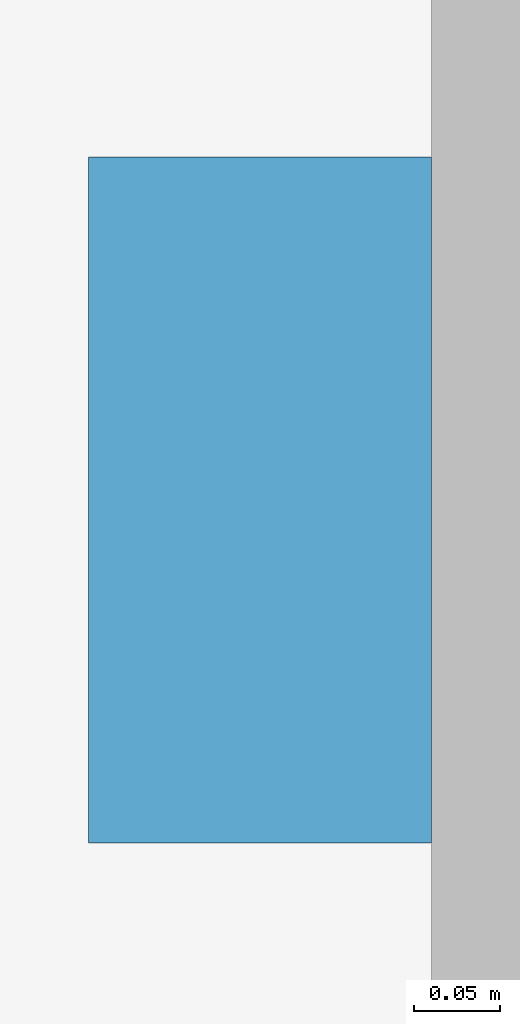
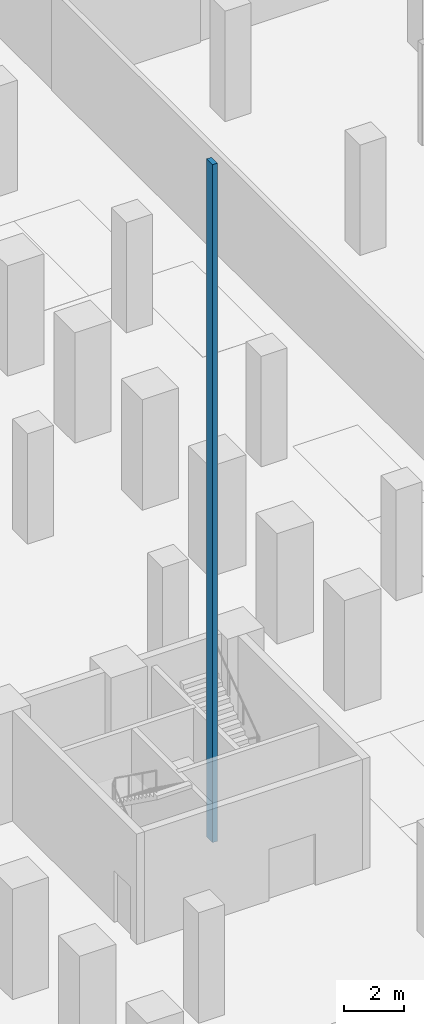
# One storey, part 27 of 37: 1 discrete accessory.
"""IFC4 building model written with IfcOpenShell, lengths in metres."""

import ifcopenshell
import ifcopenshell.guid

model = None  # the IFC model being written
_history = None  # IfcOwnerHistory: only IFC2X3 demands one
_inside = {}  # id of a spatial element -> (the spatial element, [elements in it])
_under = {}  # id of a project, library or spatial element -> (it, [spatial elements below it])
_declared = {}  # id of a project -> (the project, [libraries it declares])
_typed = {}  # id of a type object -> (the type object, [elements of that type])
_made_of = {}  # id of a material, layer set ... -> (it, [elements and type objects made of it])


def new_model(schema):
    """Start an empty IFC model of exactly this schema.

    Asked for "IFC4X3", IfcOpenShell would pick the latest addendum, in which some entities
    have other attributes; the version numbers below select the first issue.
    IFC2X3 requires an IfcOwnerHistory on every rooted entity: one is made here for all.
    """
    global model, _history
    if schema == "IFC4X3":
        model = ifcopenshell.file(schema_version=(4, 3, 0, 0))
    else:
        model = ifcopenshell.file(schema=schema)
    _inside.clear()
    _under.clear()
    _declared.clear()
    _typed.clear()
    _made_of.clear()
    _history = None
    if model.schema == "IFC2X3":
        org = make("IfcOrganization", Name="unknown")
        user = make(
            "IfcPersonAndOrganization",
            ThePerson=make("IfcPerson", FamilyName="unknown"),
            TheOrganization=org,
        )
        app = make(
            "IfcApplication",
            ApplicationDeveloper=org,
            Version="unknown",
            ApplicationFullName="unknown",
            ApplicationIdentifier="unknown",
        )
        _history = make(
            "IfcOwnerHistory",
            OwningUser=user,
            OwningApplication=app,
            ChangeAction="ADDED",
            CreationDate=0,
        )
    return model


def make(cls, **values):
    """One entity of the class cls with the attributes given. An attribute that is None is left unset."""
    return model.create_entity(
        cls, **{name: value for name, value in values.items() if value is not None}
    )


def rooted(cls, **values):
    """An entity with a GlobalId (a new one), such as an element, a storey or a relation."""
    return make(cls, GlobalId=ifcopenshell.guid.new(), OwnerHistory=_history, **values)


def si_unit(unit_type, name, prefix=None):
    """IfcSIUnit, for example si_unit("LENGTHUNIT", "METRE", prefix="MILLI")."""
    return make("IfcSIUnit", UnitType=unit_type, Prefix=prefix, Name=name)


def assignment(units):
    """IfcUnitAssignment: the units of a project."""
    return None if units is None else make("IfcUnitAssignment", Units=units)


def point(xyz):
    """IfcCartesianPoint."""
    return None if xyz is None else make("IfcCartesianPoint", Coordinates=xyz)


def direction(xyz):
    """IfcDirection."""
    return None if xyz is None else make("IfcDirection", DirectionRatios=xyz)


def frame(location, z_axis=None, x_axis=None):
    """IfcAxis2Placement3D, a coordinate frame: its origin and axes. An axis left out is left unset."""
    return make(
        "IfcAxis2Placement3D",
        Location=point(location),
        Axis=direction(z_axis),
        RefDirection=direction(x_axis),
    )


def frame_2d(location, x_axis=None):
    """IfcAxis2Placement2D, a coordinate frame in the plane: its origin and x axis."""
    return make(
        "IfcAxis2Placement2D", Location=point(location), RefDirection=direction(x_axis)
    )


def origin():
    """The frame at (0, 0, 0) with its axes left unset."""
    return frame((0.0, 0.0, 0.0))


def origin_2d():
    """The frame at (0, 0) in the plane with its x axis left unset."""
    return frame_2d((0.0, 0.0))


def place(relative_to, where):
    """IfcLocalPlacement: puts the frame where relative to a parent placement (None: the world)."""
    return make(
        "IfcLocalPlacement", PlacementRelTo=relative_to, RelativePlacement=where
    )


def context(
    kind, dimensions, precision=None, world=None, true_north=None, identifier=None
):
    """IfcGeometricRepresentationContext, for example the 3D "Model" context."""
    return make(
        "IfcGeometricRepresentationContext",
        ContextIdentifier=identifier,
        ContextType=kind,
        CoordinateSpaceDimension=dimensions,
        Precision=precision,
        WorldCoordinateSystem=world,
        TrueNorth=true_north,
    )


def subcontext(parent, identifier, kind, view, scale=None):
    """IfcGeometricRepresentationSubContext, for example "Body" below "Model"."""
    return make(
        "IfcGeometricRepresentationSubContext",
        ContextIdentifier=identifier,
        ContextType=kind,
        ParentContext=parent,
        TargetScale=scale,
        TargetView=view,
    )


def project(units=None, contexts=None):
    """IfcProject with its units and contexts."""
    return rooted(
        "IfcProject",
        Name="project",
        RepresentationContexts=contexts,
        UnitsInContext=assignment(units),
    )


def spatial(cls, under=None, at=None, **own):
    """A site, building, storey or space (cls), placed at a placement, below another one or the project."""
    s = rooted(cls, ObjectPlacement=at, **own)
    if under is not None:
        _under.setdefault(under.id(), (under, []))[1].append(s)
    return s


def profile(cls, at=None, kind="AREA", **sizes):
    """A parametric profile (cls). Its sizes go by their IFC names, for example OverallWidth=200.0."""
    return make(cls, ProfileType=kind, Position=at, **sizes)


def rectangle(**sizes):
    """IfcRectangleProfileDef."""
    return profile("IfcRectangleProfileDef", **sizes)


def extrude(swept, where, along, depth):
    """IfcExtrudedAreaSolid: the profile swept, set in the frame where, extruded along a direction by depth."""
    return make(
        "IfcExtrudedAreaSolid",
        SweptArea=swept,
        Position=where,
        ExtrudedDirection=direction(along),
        Depth=depth,
    )


def shape(context_of_items, identifier, shape_type, items):
    """IfcShapeRepresentation: the items that make up one representation, for example the "Body"."""
    return make(
        "IfcShapeRepresentation",
        ContextOfItems=context_of_items,
        RepresentationIdentifier=identifier,
        RepresentationType=shape_type,
        Items=items,
    )


def material(Name=None, Category=None):
    """IfcMaterial."""
    return make("IfcMaterial", Name=Name, Category=Category)


def made_of(thing, what):
    """Note that an element or type object is made of a material, layer set ...; save() writes the relation."""
    if what is not None:
        _made_of.setdefault(what.id(), (what, []))[1].append(thing)
    return thing


def element(
    cls,
    number,
    at=None,
    inside=None,
    cuts=None,
    type_object=None,
    material=None,
    context=None,
    identifier="Body",
    shape_type=None,
    held_by="IfcProductDefinitionShape",
    body=None,
    shapes=None,
    **own,
):
    """One element of the class cls, such as IfcWall. Its Tag is "e" and its number.

    at: its placement. inside: the storey or other place that contains it. cuts: it is an
    opening in that element (IfcRelVoidsElement). A single representation is given by context,
    identifier, shape_type and body (its items); several are given by shapes. held_by: the class
    of the entity that holds the representations. save() writes the other relations.
    """
    e = rooted(cls, Tag="e%d" % number, ObjectPlacement=at, **own)
    if body is not None:
        shapes = [shape(context, identifier, shape_type, body)]
    if shapes is not None:
        e.Representation = make(held_by, Representations=shapes)
    if inside is not None:
        _inside.setdefault(inside.id(), (inside, []))[1].append(e)
    if cuts is not None:
        rooted(
            "IfcRelVoidsElement", RelatingBuildingElement=cuts, RelatedOpeningElement=e
        )
    if type_object is not None:
        _typed.setdefault(type_object.id(), (type_object, []))[1].append(e)
    return made_of(e, material)


def aggregate(whole, parts):
    """IfcRelAggregates: a whole, such as a stair, and the parts it consists of."""
    return rooted("IfcRelAggregates", RelatingObject=whole, RelatedObjects=parts)


def save(model, path):
    """Write the relations noted so far, then the file.

    IfcRelAggregates (storeys below a building ...), IfcRelContainedInSpatialStructure (elements
    in a storey), IfcRelDefinesByType, IfcRelAssociatesMaterial and IfcRelDeclares: one each for
    every whole, place, type object, material and project.
    """
    for whole, parts in _under.values():
        aggregate(whole, parts)
    for where, things in _inside.values():
        rooted(
            "IfcRelContainedInSpatialStructure",
            RelatedElements=things,
            RelatingStructure=where,
        )
    for kind, things in _typed.values():
        rooted("IfcRelDefinesByType", RelatedObjects=things, RelatingType=kind)
    for what, things in _made_of.values():
        rooted("IfcRelAssociatesMaterial", RelatedObjects=things, RelatingMaterial=what)
    for by, libraries in _declared.values():
        rooted("IfcRelDeclares", RelatingContext=by, RelatedDefinitions=libraries)
    model.write(path)


model = new_model("IFC4")

# Units and contexts
model_context = context("Model", 3, precision=1e-05, world=origin(), true_north=direction((0.0, 1.0)))
body_context = subcontext(model_context, "Body", "Model", "MODEL_VIEW")
ifc_project = project(units=[si_unit("LENGTHUNIT", "METRE"), si_unit("AREAUNIT", "SQUARE_METRE"), si_unit("VOLUMEUNIT", "CUBIC_METRE"), si_unit("PLANEANGLEUNIT", "RADIAN"), si_unit("MASSUNIT", "GRAM", prefix="KILO")], contexts=[model_context])

# Site, building, storey
site_placement = place(None, origin())
site = spatial("IfcSite", under=ifc_project, at=site_placement, CompositionType="ELEMENT")
building_placement = place(site_placement, origin())
building = spatial("IfcBuilding", under=site, at=building_placement, Name="Quoin Convention Tower", CompositionType="ELEMENT")
storey_placement = place(building_placement, frame((0.0, 0.0, -9.0)))
storey = spatial("IfcBuildingStorey", under=building, at=storey_placement, Name="B2", CompositionType="ELEMENT", Elevation=-9.0)

# Discrete accessory
ifc_material = material(Name="Galvanised steel", Category="steel")
discrete_accessory_placement = place(storey_placement, frame((68.5, 36.0, -0.349853515625), z_axis=(0.0, 0.0, 1.0), x_axis=(1.0, 0.0, 0.0)))
element("IfcDiscreteAccessory", 1, at=discrete_accessory_placement, inside=storey, material=ifc_material, Name="LIFT GUIDE RAILS GL2", ObjectType="Lift guide rails", PredefinedType="USERDEFINED", context=body_context, shape_type="SweptSolid", body=[
    extrude(rectangle(XDim=0.199951171875, YDim=0.39990234375, at=origin_2d()), origin(), (0.0, 0.0, 1.0), 27.6298828125),
])

save(model, "model.ifc")
